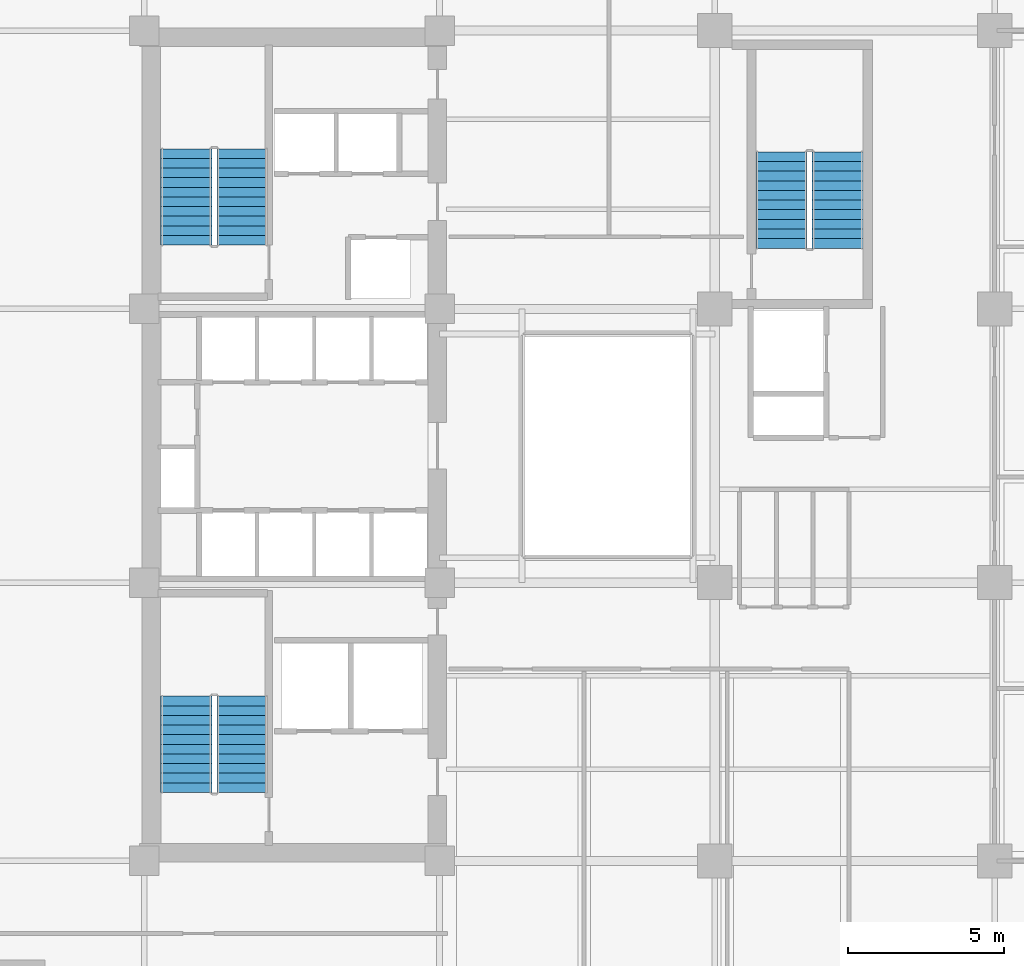
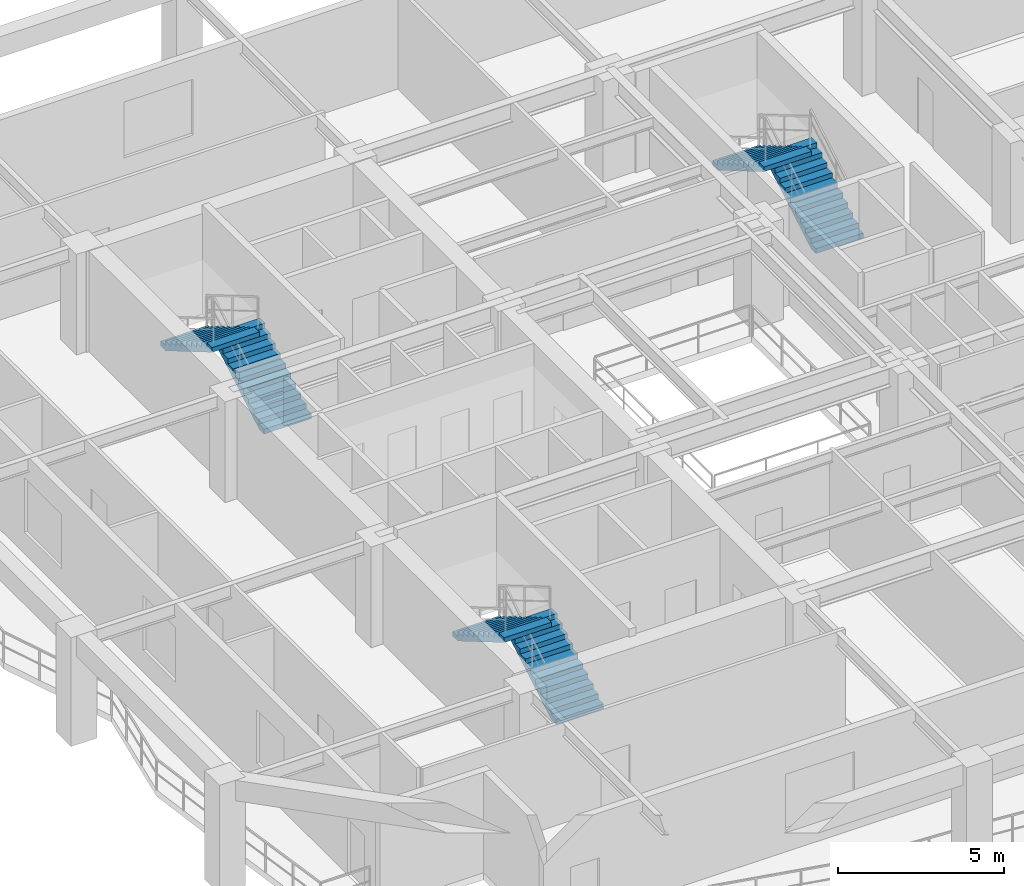
# One storey, part 6 of 11: 6 stair flights, 3 elements without a shape of their own.
"""IFC4 building model written with IfcOpenShell, lengths in metres."""

from ifc_helpers import new_model, si_unit, direction, frame, origin, place, context, subcontext, project, spatial, polyline, outline, extrude, material, type_object, element, aggregate, save


model = new_model("IFC4")

# Units and contexts
model_context = context("Model", 3, precision=1e-05, world=origin(), true_north=direction((0.0, 1.0)))
body_context = subcontext(model_context, "Body", "Model", "MODEL_VIEW")
ifc_project = project(units=[si_unit("LENGTHUNIT", "METRE"), si_unit("AREAUNIT", "SQUARE_METRE"), si_unit("VOLUMEUNIT", "CUBIC_METRE"), si_unit("PLANEANGLEUNIT", "RADIAN"), si_unit("MASSUNIT", "GRAM", prefix="KILO")], contexts=[model_context])

# Site, building, storey
site_placement = place(None, origin())
site = spatial("IfcSite", under=ifc_project, at=site_placement, CompositionType="ELEMENT")
building_placement = place(site_placement, origin())
building = spatial("IfcBuilding", under=site, at=building_placement, Name="Kundavana Baori Tower", CompositionType="ELEMENT")
storey_placement = place(building_placement, frame((0.0, 0.0, 90.0)))
storey = spatial("IfcBuildingStorey", under=building, at=storey_placement, Name="L21", CompositionType="ELEMENT", Elevation=90.0)

# Stair, stair flights
ifc_material_1 = material(Name="Concrete C40/50", Category="concrete")
stair_type = type_object("IfcStairType", Name="STR-DOG-1650", PredefinedType="HALF_TURN_STAIR", material=ifc_material_1)
stair_1_placement = place(storey_placement, origin())
stair_1 = element("IfcStair", 1, at=stair_1_placement, inside=storey, type_object=stair_type, Name="L21 Protected Exit Stair ST1", PredefinedType="HALF_TURN_STAIR")
ifc_material_2 = material(Name="Concrete C40/50", Category="concrete")
stair_flight_type = type_object("IfcStairFlightType", Name="SFL-RC-1650", PredefinedType="STRAIGHT", material=ifc_material_2)
stair_flight_1_placement = place(storey_placement, frame((18.614990234375, 17.449951171875, 0.0), z_axis=(0.0, 0.0, 1.0), x_axis=(0.0, 1.0, 0.0)))
stair_flight_1 = element("IfcStairFlight", 2, at=stair_flight_1_placement, type_object=stair_flight_type, Name="ST1 flight 1", NumberOfRisers=11, NumberOfTreads=10, PredefinedType="STRAIGHT", RiserHeight=0.181818182, TreadLength=0.31, context=body_context, shape_type="SweptSolid", body=[
    extrude(outline(polyline([(0.0, 0.0), (0.0, 0.181884765625), (0.31005859375, 0.181884765625), (0.31005859375, 0.363525390625), (0.6201171875, 0.363525390625), (0.6201171875, 0.54541015625), (0.929931640625, 0.54541015625), (0.929931640625, 0.727294921875), (1.239990234375, 0.727294921875), (1.239990234375, 0.9091796875), (1.550048828125, 0.9091796875), (1.550048828125, 1.0908203125), (1.860107421875, 1.0908203125), (1.860107421875, 1.272705078125), (2.169921875, 1.272705078125), (2.169921875, 1.45458984375), (2.47998046875, 1.45458984375), (2.47998046875, 1.636474609375), (2.7900390625, 1.636474609375), (2.7900390625, 1.818115234375), (3.10009765625, 1.818115234375), (3.10009765625, 2.0), (3.10009765625, 1.644287109375), (0.29638671875, 0.0), (0.0, 0.0)])), frame((0.0, 0.824951171875, 0.0), z_axis=(0.0, -1.0, 0.0), x_axis=(1.0, 0.0, 0.0)), (0.0, 0.0, 1.0), 1.64990234375),
])
stair_flight_2_placement = place(storey_placement, frame((16.804931640625, 20.550048828125, 2.0), z_axis=(0.0, 0.0, 1.0), x_axis=(0.0, -1.0, 0.0)))
stair_flight_2 = element("IfcStairFlight", 3, at=stair_flight_2_placement, type_object=stair_flight_type, Name="ST1 flight 2", NumberOfRisers=11, NumberOfTreads=10, PredefinedType="STRAIGHT", RiserHeight=0.181818182, TreadLength=0.31, context=body_context, shape_type="SweptSolid", body=[
    extrude(outline(polyline([(0.0, 0.0), (0.0, 0.181884765625), (0.31005859375, 0.181884765625), (0.31005859375, 0.363525390625), (0.6201171875, 0.363525390625), (0.6201171875, 0.54541015625), (0.929931640625, 0.54541015625), (0.929931640625, 0.727294921875), (1.239990234375, 0.727294921875), (1.239990234375, 0.9091796875), (1.550048828125, 0.9091796875), (1.550048828125, 1.0908203125), (1.860107421875, 1.0908203125), (1.860107421875, 1.272705078125), (2.169921875, 1.272705078125), (2.169921875, 1.45458984375), (2.47998046875, 1.45458984375), (2.47998046875, 1.636474609375), (2.7900390625, 1.636474609375), (2.7900390625, 1.818115234375), (3.10009765625, 1.818115234375), (3.10009765625, 2.0), (3.10009765625, 1.644287109375), (0.29638671875, 0.0), (0.0, 0.0)])), frame((0.0, 0.824951171875, 0.0), z_axis=(0.0, -1.0, 0.0), x_axis=(1.0, 0.0, 0.0)), (0.0, 0.0, 1.0), 1.64990234375),
])
aggregate(stair_1, [stair_flight_1, stair_flight_2])

stair_2_placement = place(storey_placement, origin())
stair_2 = element("IfcStair", 4, at=stair_2_placement, inside=storey, type_object=stair_type, Name="L21 Protected Exit Stair ST2", PredefinedType="HALF_TURN_STAIR")
stair_flight_3_placement = place(storey_placement, frame((18.614990234375, 35.050048828125, 0.0), z_axis=(0.0, 0.0, 1.0), x_axis=(0.0, 1.0, 0.0)))
stair_flight_3 = element("IfcStairFlight", 5, at=stair_flight_3_placement, type_object=stair_flight_type, Name="ST2 flight 1", NumberOfRisers=11, NumberOfTreads=10, PredefinedType="STRAIGHT", RiserHeight=0.181818182, TreadLength=0.31, context=body_context, shape_type="SweptSolid", body=[
    extrude(outline(polyline([(0.0, 0.0), (0.0, 0.181884765625), (0.31005859375, 0.181884765625), (0.31005859375, 0.363525390625), (0.6201171875, 0.363525390625), (0.6201171875, 0.54541015625), (0.929931640625, 0.54541015625), (0.929931640625, 0.727294921875), (1.239990234375, 0.727294921875), (1.239990234375, 0.9091796875), (1.550048828125, 0.9091796875), (1.550048828125, 1.0908203125), (1.860107421875, 1.0908203125), (1.860107421875, 1.272705078125), (2.169921875, 1.272705078125), (2.169921875, 1.45458984375), (2.47998046875, 1.45458984375), (2.47998046875, 1.636474609375), (2.7900390625, 1.636474609375), (2.7900390625, 1.818115234375), (3.10009765625, 1.818115234375), (3.10009765625, 2.0), (3.10009765625, 1.644287109375), (0.29638671875, 0.0), (0.0, 0.0)])), frame((0.0, 0.824951171875, 0.0), z_axis=(0.0, -1.0, 0.0), x_axis=(1.0, 0.0, 0.0)), (0.0, 0.0, 1.0), 1.64990234375),
])
stair_flight_4_placement = place(storey_placement, frame((16.804931640625, 38.14990234375, 2.0), z_axis=(0.0, 0.0, 1.0), x_axis=(0.0, -1.0, 0.0)))
stair_flight_4 = element("IfcStairFlight", 6, at=stair_flight_4_placement, type_object=stair_flight_type, Name="ST2 flight 2", NumberOfRisers=11, NumberOfTreads=10, PredefinedType="STRAIGHT", RiserHeight=0.181818182, TreadLength=0.31, context=body_context, shape_type="SweptSolid", body=[
    extrude(outline(polyline([(0.0, 0.0), (0.0, 0.181884765625), (0.31005859375, 0.181884765625), (0.31005859375, 0.363525390625), (0.6201171875, 0.363525390625), (0.6201171875, 0.54541015625), (0.929931640625, 0.54541015625), (0.929931640625, 0.727294921875), (1.239990234375, 0.727294921875), (1.239990234375, 0.9091796875), (1.550048828125, 0.9091796875), (1.550048828125, 1.0908203125), (1.860107421875, 1.0908203125), (1.860107421875, 1.272705078125), (2.169921875, 1.272705078125), (2.169921875, 1.45458984375), (2.47998046875, 1.45458984375), (2.47998046875, 1.636474609375), (2.7900390625, 1.636474609375), (2.7900390625, 1.818115234375), (3.10009765625, 1.818115234375), (3.10009765625, 2.0), (3.10009765625, 1.644287109375), (0.29638671875, 0.0), (0.0, 0.0)])), frame((0.0, 0.824951171875, 0.0), z_axis=(0.0, -1.0, 0.0), x_axis=(1.0, 0.0, 0.0)), (0.0, 0.0, 1.0), 1.64990234375),
])
aggregate(stair_2, [stair_flight_3, stair_flight_4])

stair_3_placement = place(storey_placement, origin())
stair_3 = element("IfcStair", 7, at=stair_3_placement, inside=storey, type_object=stair_type, Name="L21 Protected Exit Stair ST3", PredefinedType="HALF_TURN_STAIR")
stair_flight_5_placement = place(storey_placement, frame((37.7548828125, 34.949951171875, 0.0), z_axis=(0.0, 0.0, 1.0), x_axis=(0.0, 1.0, 0.0)))
stair_flight_5 = element("IfcStairFlight", 8, at=stair_flight_5_placement, type_object=stair_flight_type, Name="ST3 flight 1", NumberOfRisers=11, NumberOfTreads=10, PredefinedType="STRAIGHT", RiserHeight=0.181818182, TreadLength=0.31, context=body_context, shape_type="SweptSolid", body=[
    extrude(outline(polyline([(0.0, 0.0), (0.0, 0.181884765625), (0.31005859375, 0.181884765625), (0.31005859375, 0.363525390625), (0.6201171875, 0.363525390625), (0.6201171875, 0.54541015625), (0.929931640625, 0.54541015625), (0.929931640625, 0.727294921875), (1.239990234375, 0.727294921875), (1.239990234375, 0.9091796875), (1.550048828125, 0.9091796875), (1.550048828125, 1.0908203125), (1.860107421875, 1.0908203125), (1.860107421875, 1.272705078125), (2.169921875, 1.272705078125), (2.169921875, 1.45458984375), (2.47998046875, 1.45458984375), (2.47998046875, 1.636474609375), (2.7900390625, 1.636474609375), (2.7900390625, 1.818115234375), (3.10009765625, 1.818115234375), (3.10009765625, 2.0), (3.10009765625, 1.644287109375), (0.29638671875, 0.0), (0.0, 0.0)])), frame((0.0, 0.824951171875, 0.0), z_axis=(0.0, -1.0, 0.0), x_axis=(1.0, 0.0, 0.0)), (0.0, 0.0, 1.0), 1.64990234375),
])
stair_flight_6_placement = place(storey_placement, frame((35.945068359375, 38.050048828125, 2.0), z_axis=(0.0, 0.0, 1.0), x_axis=(0.0, -1.0, 0.0)))
stair_flight_6 = element("IfcStairFlight", 9, at=stair_flight_6_placement, type_object=stair_flight_type, Name="ST3 flight 2", NumberOfRisers=11, NumberOfTreads=10, PredefinedType="STRAIGHT", RiserHeight=0.181818182, TreadLength=0.31, context=body_context, shape_type="SweptSolid", body=[
    extrude(outline(polyline([(0.0, 0.0), (0.0, 0.181884765625), (0.31005859375, 0.181884765625), (0.31005859375, 0.363525390625), (0.6201171875, 0.363525390625), (0.6201171875, 0.54541015625), (0.929931640625, 0.54541015625), (0.929931640625, 0.727294921875), (1.239990234375, 0.727294921875), (1.239990234375, 0.9091796875), (1.550048828125, 0.9091796875), (1.550048828125, 1.0908203125), (1.860107421875, 1.0908203125), (1.860107421875, 1.272705078125), (2.169921875, 1.272705078125), (2.169921875, 1.45458984375), (2.47998046875, 1.45458984375), (2.47998046875, 1.636474609375), (2.7900390625, 1.636474609375), (2.7900390625, 1.818115234375), (3.10009765625, 1.818115234375), (3.10009765625, 2.0), (3.10009765625, 1.644287109375), (0.29638671875, 0.0), (0.0, 0.0)])), frame((0.0, 0.824951171875, 0.0), z_axis=(0.0, -1.0, 0.0), x_axis=(1.0, 0.0, 0.0)), (0.0, 0.0, 1.0), 1.64990234375),
])
aggregate(stair_3, [stair_flight_5, stair_flight_6])

save(model, "model.ifc")
